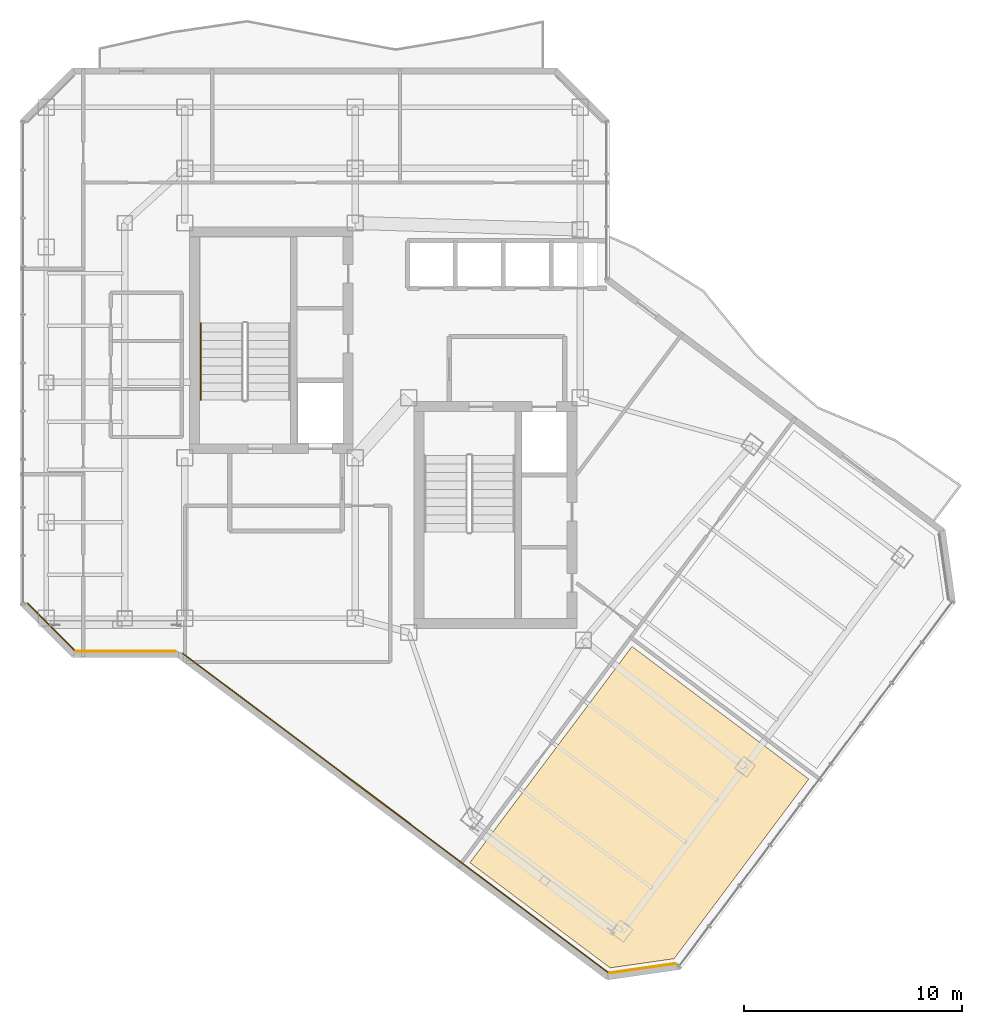
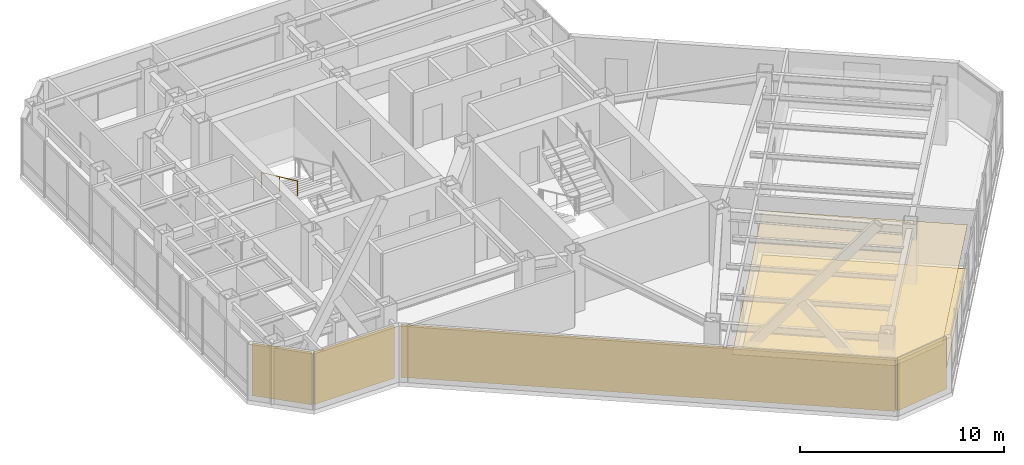
# One storey, part 22 of 24: 6 coverings, 1 railing.
"""IFC4 building model written with IfcOpenShell, lengths in metres."""

from ifc_helpers import new_model, si_unit, direction, frame, origin, origin_2d, place, context, subcontext, project, spatial, polyline, rectangle, circle, outline, extrude, material, layer, layer_set, type_object, element, save


model = new_model("IFC4")

# Units and contexts
model_context = context("Model", 3, precision=1e-05, world=origin(), true_north=direction((0.0, 1.0)))
body_context = subcontext(model_context, "Body", "Model", "MODEL_VIEW")
ifc_project = project(units=[si_unit("LENGTHUNIT", "METRE"), si_unit("AREAUNIT", "SQUARE_METRE"), si_unit("VOLUMEUNIT", "CUBIC_METRE"), si_unit("PLANEANGLEUNIT", "RADIAN"), si_unit("MASSUNIT", "GRAM", prefix="KILO")], contexts=[model_context])

# Site, building, storey
site_placement = place(None, origin())
site = spatial("IfcSite", under=ifc_project, at=site_placement, CompositionType="ELEMENT")
building_placement = place(site_placement, origin())
building = spatial("IfcBuilding", under=site, at=building_placement, Name="Hatsunagi Terrace Concourse", CompositionType="ELEMENT")
storey_placement = place(building_placement, frame((0.0, 0.0, 202.35009765625)))
storey = spatial("IfcBuildingStorey", under=building, at=storey_placement, Name="L53", CompositionType="ELEMENT", Elevation=202.35009765625)

# Coverings
ifc_material_1 = material(Name="Acoustic mineral board", Category="gypsum")
ifc_layer_1 = layer(ifc_material_1, 0.02001953125)
ifc_layer_set_1 = layer_set([ifc_layer_1], Name="AcousticMineralCeiling_20")
covering_type_1 = type_object("IfcCoveringType", Name="AcousticMineralCeiling_20", PredefinedType="CEILING", material=ifc_layer_set_1)
covering_1_placement = place(storey_placement, frame((0.0, 0.0, 2.6298828125)))
element("IfcCovering", 1, at=covering_1_placement, inside=storey, type_object=covering_type_1, Name="Suspended Ceiling L53-1", PredefinedType="CEILING", context=body_context, shape_type="SweptSolid", body=[
    extrude(outline(polyline([(47.947998046875, 9.614013671875), (54.115966796875, 17.837890625), (46.02001953125, 23.909912109375), (38.597900390625, 14.013916015625), (45.02197265625, 9.196044921875), (47.947998046875, 9.614013671875)])), origin(), (0.0, 0.0, 1.0), 0.02001953125),
])
ifc_material_2 = material(Name="Hardwood timber", Category="wood")
ifc_layer_2 = layer(ifc_material_2, 0.014892578125)
ifc_layer_set_2 = layer_set([ifc_layer_2], Name="HardwoodTimberFlooring_15")
covering_type_2 = type_object("IfcCoveringType", Name="HardwoodTimberFlooring_15", PredefinedType="FLOORING", material=ifc_layer_set_2)
covering_2_placement = place(storey_placement, origin())
element("IfcCovering", 2, at=covering_2_placement, inside=storey, type_object=covering_type_2, Name="Finished Flooring L53-1", PredefinedType="FLOORING", context=body_context, shape_type="SweptSolid", body=[
    extrude(outline(polyline([(47.947998046875, 9.614013671875), (54.115966796875, 17.837890625), (46.02001953125, 23.909912109375), (38.597900390625, 14.013916015625), (45.02197265625, 9.196044921875), (47.947998046875, 9.614013671875)])), origin(), (0.0, 0.0, 1.0), 0.014892578125),
])

# Railing
ifc_material_3 = material(Name="Stainless steel", Category="steel")
ifc_layer_3 = layer(ifc_material_3, 0.044921875)
ifc_layer_set_3 = layer_set([ifc_layer_3], Name="StairPitchHandrail_Tower2000")
railing_type = type_object("IfcRailingType", Name="StairPitchHandrail_Tower2000", PredefinedType="HANDRAIL", material=ifc_layer_set_3)
railing_placement = place(storey_placement, frame((26.280029296875, 38.7099609375, 1.97998046875)))
element("IfcRailing", 3, at=railing_placement, inside=storey, type_object=railing_type, Name="L53 ST-A stair handrail 2", PredefinedType="HANDRAIL", context=body_context, shape_type="SweptSolid", body=[
    extrude(circle(Radius=0.02392578125, at=origin_2d()), frame((0.0, 0.0, 0.8759765625), z_axis=(0.0, -0.907972323039, 0.419030142823), x_axis=(1.0, 0.0, 0.0)), (0.0, 0.0, 1.0), 3.86572265625),
    extrude(circle(Radius=0.02099609375, at=origin_2d()), origin(), (0.0, 0.0, 1.0), 0.851806640625),
    extrude(circle(Radius=0.02099609375, at=origin_2d()), frame((0.0, -1.7548828125, 0.81005859375)), (0.0, 0.0, 1.0), 0.851806640625),
    extrude(circle(Radius=0.02099609375, at=origin_2d()), frame((0.0, -3.510009765625, 1.619873046875)), (0.0, 0.0, 1.0), 0.851806640625),
])

# Coverings
ifc_material_4 = material(Name="Unglazed Warm Terracotta Rainscreen Tile", Category="masonry")
ifc_layer_4 = layer(ifc_material_4, 0.044921875)
ifc_layer_set_4 = layer_set([ifc_layer_4], Name="TerracottaRainscreenCladding_45")
covering_type_3 = type_object("IfcCoveringType", Name="TerracottaRainscreenCladding_45", PredefinedType="CLADDING", material=ifc_layer_set_4)
covering_3_placement = place(storey_placement, frame((46.51806640625, 9.178955078125, 0.099853515625), z_axis=(0.0, 0.0, 1.0), x_axis=(-0.989973920543, -0.141250262458, 0.0)))
element("IfcCovering", 4, at=covering_3_placement, inside=storey, type_object=covering_type_3, Name="Terracotta Rainscreen Cladding L53-04", PredefinedType="CLADDING", context=body_context, shape_type="SweptSolid", body=[
    extrude(rectangle(XDim=3.0380859375, YDim=0.044921875, at=origin_2d()), origin(), (0.0, 0.0, 1.0), 3.14990234375),
])
covering_4_placement = place(storey_placement, frame((35.179931640625, 16.29296875, 0.099853515625), z_axis=(0.0, 0.0, 1.0), x_axis=(-0.800005211305, 0.599993051531, 0.0)))
element("IfcCovering", 5, at=covering_4_placement, inside=storey, type_object=covering_type_3, Name="Terracotta Rainscreen Cladding L53-05", PredefinedType="CLADDING", context=body_context, shape_type="SweptSolid", body=[
    extrude(rectangle(XDim=24.34912109375, YDim=0.044921875, at=origin_2d()), origin(), (0.0, 0.0, 1.0), 3.14990234375),
])
covering_5_placement = place(storey_placement, frame((22.85205078125, 23.701904296875, 0.099853515625), z_axis=(0.0, 0.0, 1.0), x_axis=(-1.0, 0.0, 0.0)))
element("IfcCovering", 6, at=covering_5_placement, inside=storey, type_object=covering_type_3, Name="Terracotta Rainscreen Cladding L53-06", PredefinedType="CLADDING", context=body_context, shape_type="SweptSolid", body=[
    extrude(rectangle(XDim=4.549072265625, YDim=0.044921875, at=origin_2d()), origin(), (0.0, 0.0, 1.0), 3.14990234375),
])
covering_6_placement = place(storey_placement, frame((19.4140625, 24.81396484375, 0.099853515625), z_axis=(0.0, 0.0, 1.0), x_axis=(-0.707106781187, 0.707106781187, 0.0)))
element("IfcCovering", 7, at=covering_6_placement, inside=storey, type_object=covering_type_3, Name="Terracotta Rainscreen Cladding L53-07", PredefinedType="CLADDING", context=body_context, shape_type="SweptSolid", body=[
    extrude(rectangle(XDim=3.0380859375, YDim=0.044921875, at=origin_2d()), origin(), (0.0, 0.0, 1.0), 3.14990234375),
])

save(model, "model.ifc")
